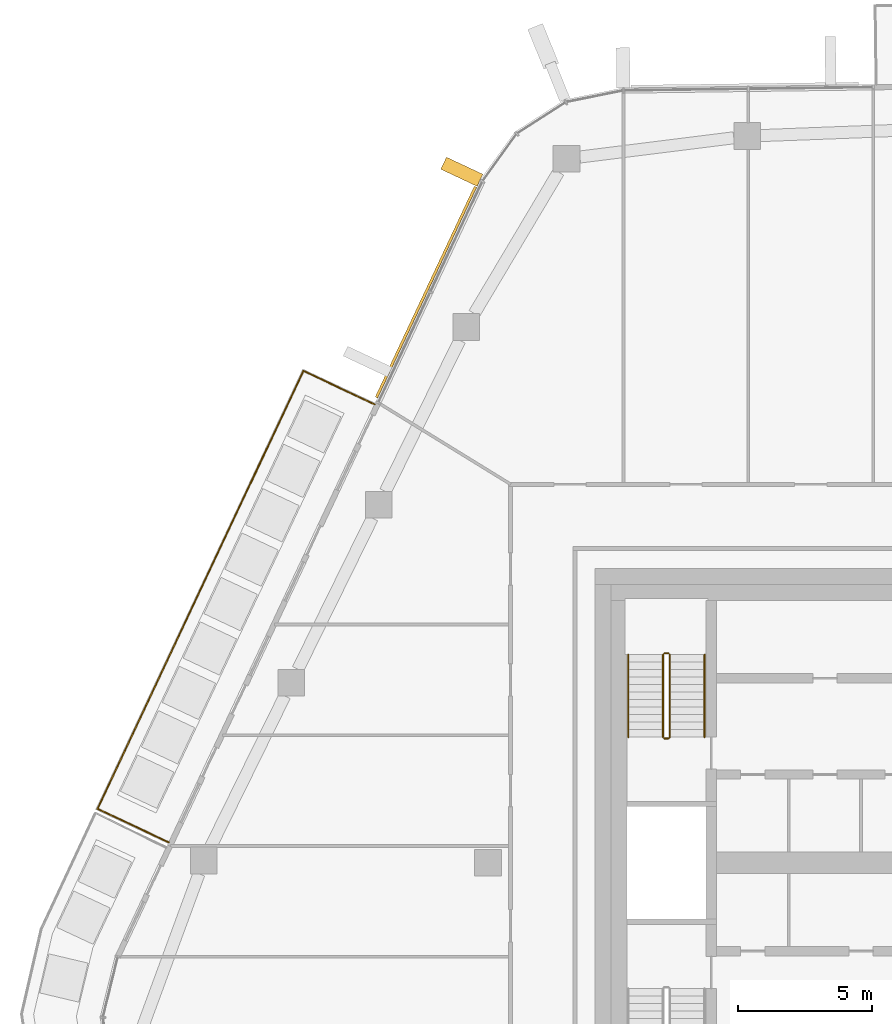
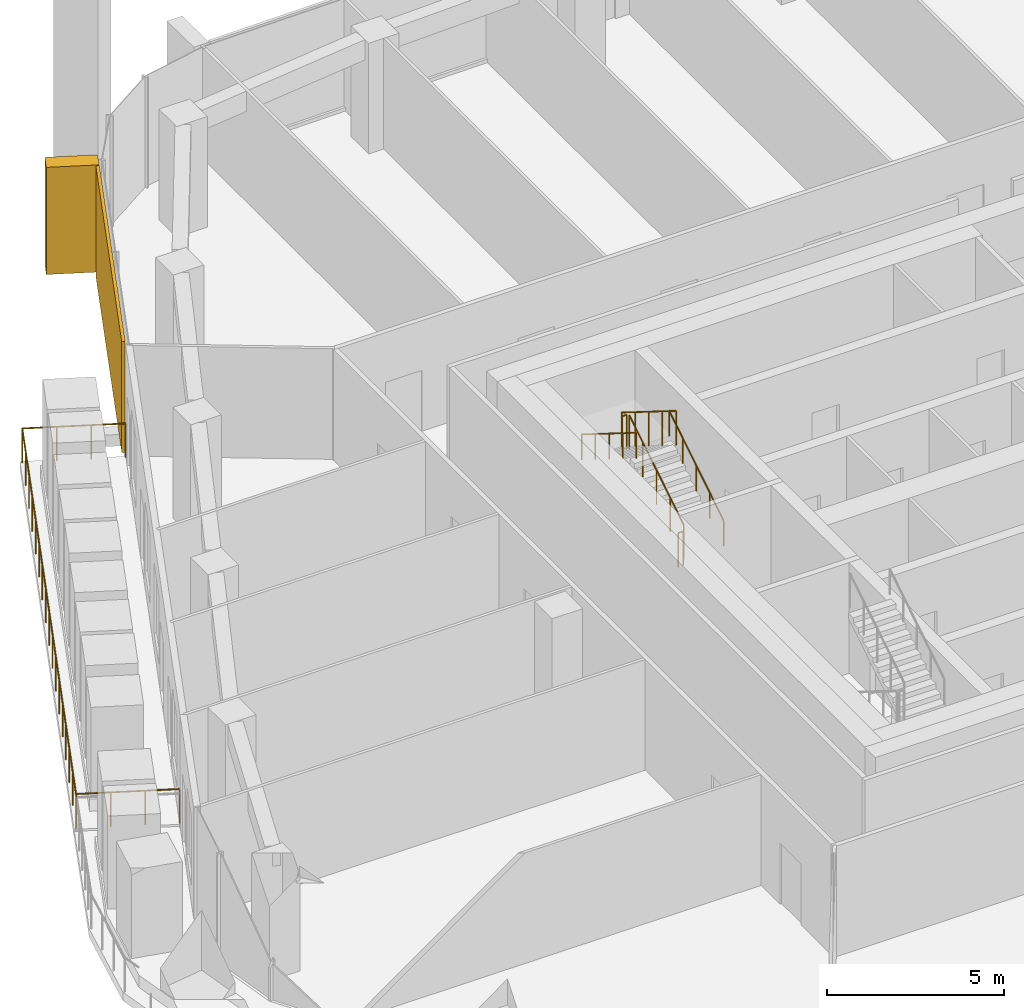
# One storey, part 21 of 24: 7 railings, 2 coverings, 1 element without a shape of its own.
"""IFC4 building model written with IfcOpenShell, lengths in metres."""

from ifc_helpers import new_model, si_unit, direction, frame, origin, origin_2d, place, context, subcontext, project, spatial, rectangle, circle, extrude, material, layer, layer_set, material_profile, profile_set, type_object, element, aggregate, save


model = new_model("IFC4")

# Units and contexts
model_context = context("Model", 3, precision=1e-05, world=origin(), true_north=direction((0.0, 1.0)))
body_context = subcontext(model_context, "Body", "Model", "MODEL_VIEW")
ifc_project = project(units=[si_unit("LENGTHUNIT", "METRE"), si_unit("AREAUNIT", "SQUARE_METRE"), si_unit("VOLUMEUNIT", "CUBIC_METRE"), si_unit("PLANEANGLEUNIT", "RADIAN"), si_unit("MASSUNIT", "GRAM", prefix="KILO")], contexts=[model_context])

# Site, building, storey
site_placement = place(None, origin())
site = spatial("IfcSite", under=ifc_project, at=site_placement, CompositionType="ELEMENT")
building_placement = place(site_placement, origin())
building = spatial("IfcBuilding", under=site, at=building_placement, Name="Dongbaek Canopy Tower", CompositionType="ELEMENT")
storey_placement = place(building_placement, frame((0.0, 0.0, 332.0)))
storey = spatial("IfcBuildingStorey", under=building, at=storey_placement, Name="L71", CompositionType="ELEMENT", Elevation=332.0)

# Railing
ifc_material_1 = material(Name="Stainless steel", Category="steel")
railing_type_1 = type_object("IfcRailingType", Name="Balcony balustrade 1200", PredefinedType="BALUSTRADE", material=ifc_material_1)
railing_1_placement = place(storey_placement, frame((-22.236083984375, 17.13818359375, 0.0)))
element("IfcRailing", 1, at=railing_1_placement, inside=storey, type_object=railing_type_1, Name="Balcony guard L71 3", PredefinedType="BALUSTRADE", context=body_context, shape_type="SweptSolid", body=[
    extrude(circle(Radius=0.02392578125, at=origin_2d()), frame((0.0, 0.0, 1.17578125), z_axis=(-0.904961676256, 0.425493083973, 0.0), x_axis=(-0.425493083973, -0.904961676256, 0.0)), (0.0, 0.0, 1.0), 2.93994140625),
    extrude(circle(Radius=0.02392578125, at=origin_2d()), frame((-2.66064453125, 1.2509765625, 1.17578125), z_axis=(-0.425494781749, -0.904960877997, 0.0), x_axis=(0.904960877997, -0.425494781749, 0.0)), (0.0, 0.0, 1.0), 18.089599609375),
    extrude(circle(Radius=0.02392578125, at=origin_2d()), frame((-10.357666015625, -15.119384765625, 1.17578125), z_axis=(0.904961676256, -0.425493083973, 0.0), x_axis=(0.425493083973, 0.904961676256, 0.0)), (0.0, 0.0, 1.0), 2.93994140625),
    extrude(circle(Radius=0.02099609375, at=origin_2d()), origin(), (0.0, 0.0, 1.0), 1.15185546875),
    extrude(circle(Radius=0.02099609375, at=origin_2d()), frame((-0.886962890625, 0.4169921875, 0.0)), (0.0, 0.0, 1.0), 1.15185546875),
    extrude(circle(Radius=0.02099609375, at=origin_2d()), frame((-1.773681640625, 0.833984375, 0.0)), (0.0, 0.0, 1.0), 1.15185546875),
    extrude(circle(Radius=0.02099609375, at=origin_2d()), frame((-2.66064453125, 1.2509765625, 0.0)), (0.0, 0.0, 1.0), 1.15185546875),
    extrude(circle(Radius=0.02099609375, at=origin_2d()), frame((-3.1416015625, 0.227783203125, 0.0)), (0.0, 0.0, 1.0), 1.15185546875),
    extrude(circle(Radius=0.02099609375, at=origin_2d()), frame((-3.622802734375, -0.79541015625, 0.0)), (0.0, 0.0, 1.0), 1.15185546875),
    extrude(circle(Radius=0.02099609375, at=origin_2d()), frame((-4.103759765625, -1.818359375, 0.0)), (0.0, 0.0, 1.0), 1.15185546875),
    extrude(circle(Radius=0.02099609375, at=origin_2d()), frame((-4.5849609375, -2.841552734375, 0.0)), (0.0, 0.0, 1.0), 1.15185546875),
    extrude(circle(Radius=0.02099609375, at=origin_2d()), frame((-5.06591796875, -3.86474609375, 0.0)), (0.0, 0.0, 1.0), 1.15185546875),
    extrude(circle(Radius=0.02099609375, at=origin_2d()), frame((-5.547119140625, -4.887939453125, 0.0)), (0.0, 0.0, 1.0), 1.15185546875),
    extrude(circle(Radius=0.02099609375, at=origin_2d()), frame((-6.028076171875, -5.9111328125, 0.0)), (0.0, 0.0, 1.0), 1.15185546875),
    extrude(circle(Radius=0.02099609375, at=origin_2d()), frame((-6.50927734375, -6.93408203125, 0.0)), (0.0, 0.0, 1.0), 1.15185546875),
    extrude(circle(Radius=0.02099609375, at=origin_2d()), frame((-6.990234375, -7.957275390625, 0.0)), (0.0, 0.0, 1.0), 1.15185546875),
    extrude(circle(Radius=0.02099609375, at=origin_2d()), frame((-7.47119140625, -8.98046875, 0.0)), (0.0, 0.0, 1.0), 1.15185546875),
    extrude(circle(Radius=0.02099609375, at=origin_2d()), frame((-7.952392578125, -10.003662109375, 0.0)), (0.0, 0.0, 1.0), 1.15185546875),
    extrude(circle(Radius=0.02099609375, at=origin_2d()), frame((-8.433349609375, -11.02685546875, 0.0)), (0.0, 0.0, 1.0), 1.15185546875),
    extrude(circle(Radius=0.02099609375, at=origin_2d()), frame((-8.91455078125, -12.050048828125, 0.0)), (0.0, 0.0, 1.0), 1.15185546875),
    extrude(circle(Radius=0.02099609375, at=origin_2d()), frame((-9.3955078125, -13.072998046875, 0.0)), (0.0, 0.0, 1.0), 1.15185546875),
    extrude(circle(Radius=0.02099609375, at=origin_2d()), frame((-9.876708984375, -14.09619140625, 0.0)), (0.0, 0.0, 1.0), 1.15185546875),
    extrude(circle(Radius=0.02099609375, at=origin_2d()), frame((-10.357666015625, -15.119384765625, 0.0)), (0.0, 0.0, 1.0), 1.15185546875),
    extrude(circle(Radius=0.02099609375, at=origin_2d()), frame((-9.470703125, -15.536376953125, 0.0)), (0.0, 0.0, 1.0), 1.15185546875),
    extrude(circle(Radius=0.02099609375, at=origin_2d()), frame((-8.583984375, -15.953369140625, 0.0)), (0.0, 0.0, 1.0), 1.15185546875),
    extrude(circle(Radius=0.02099609375, at=origin_2d()), frame((-7.697021484375, -16.370361328125, 0.0)), (0.0, 0.0, 1.0), 1.15185546875),
])

# Curtain wall, coverings
ifc_material_2 = material(Name="Aluminium 6063-T6 pale anodised", Category="aluminium")
ifc_layer_1 = layer(ifc_material_2, 0.199951171875)
ifc_layer_set_1 = layer_set([ifc_layer_1], Name="CW-1 unitised tower curtain wall")
curtain_wall_type = type_object("IfcCurtainWallType", Name="CW-1 unitised tower curtain wall", PredefinedType="NOTDEFINED", material=ifc_layer_set_1)
curtain_wall_placement = place(storey_placement, origin())
curtain_wall = element("IfcCurtainWall", 2, at=curtain_wall_placement, inside=storey, type_object=curtain_wall_type, Name="CW-1 curtain wall F2.1", PredefinedType="NOTDEFINED")
ifc_material_3 = material(Name="Perforated aluminium 6063-T6 pale metal screen", Category="aluminium")
ifc_layer_2 = layer(ifc_material_3, 0.10009765625)
ifc_layer_set_2 = layer_set([ifc_layer_2], Name="Facet screen FS1 100 pale metal")
covering_type_1 = type_object("IfcCoveringType", Name="Facet screen FS1 100 pale metal", PredefinedType="CLADDING", material=ifc_layer_set_2)
covering_1_placement = place(storey_placement, frame((-20.315185546875, 21.331787109375, 0.0), z_axis=(0.0, 0.0, 1.0), x_axis=(-0.425499749114, -0.904958542423, 0.0)))
covering_1 = element("IfcCovering", 3, at=covering_1_placement, type_object=covering_type_1, Name="Facet screen L71 F2", PredefinedType="CLADDING", context=body_context, shape_type="SweptSolid", body=[
    extrude(rectangle(XDim=8.7060546875, YDim=0.10009765625, at=origin_2d()), origin(), (0.0, 0.0, 1.0), 3.820068359375),
])
ifc_material_4 = material(Name="Aluminium 6063-T6 pale metal fin", Category="aluminium")
ifc_material_profile = material_profile(ifc_material_4, rectangle(XDim=1.5, YDim=0.5, at=origin_2d()), Name="Fin FN1 500 x 1500 pale metal")
ifc_profile_set = profile_set([ifc_material_profile], Name="Aluminium 6063-T6 pale metal fin")
covering_type_2 = type_object("IfcCoveringType", Name="Fin FN1 500 x 1500 pale metal", PredefinedType="CLADDING", material=ifc_profile_set)
covering_2_placement = place(storey_placement, frame((-18.9765625, 25.8330078125, 0.1201171875), z_axis=(0.0, 0.0, 1.0), x_axis=(-0.90495825448, 0.425500361514, 0.0)))
covering_2 = element("IfcCovering", 4, at=covering_2_placement, type_object=covering_type_2, Name="Fin F2.1.1", PredefinedType="CLADDING", context=body_context, shape_type="SweptSolid", body=[
    extrude(rectangle(XDim=1.5, YDim=0.5, at=origin_2d()), origin(), (0.0, 0.0, 1.0), 3.699951171875),
])
aggregate(curtain_wall, [covering_2, covering_1])

# Railings
ifc_material_5 = material(Name="Stainless steel tube and balusters", Category="steel")
railing_type_2 = type_object("IfcRailingType", Name="Stair guard 1200", PredefinedType="GUARDRAIL", material=ifc_material_5)
railing_2_placement = place(storey_placement, frame((-11.199951171875, 4.699951171875, 0.175048828125)))
element("IfcRailing", 5, at=railing_2_placement, inside=storey, type_object=railing_type_2, Name="L71 ST-C stair guard 1", PredefinedType="GUARDRAIL", context=body_context, shape_type="SweptSolid", body=[
    extrude(circle(Radius=0.02392578125, at=origin_2d()), frame((0.0, 0.0, 1.17578125), z_axis=(0.0, 0.847998304005, 0.529998940003), x_axis=(-1.0, 0.0, 0.0)), (0.0, 0.0, 1.0), 3.632080078125),
    extrude(circle(Radius=0.02099609375, at=origin_2d()), origin(), (0.0, 0.0, 1.0), 1.15185546875),
    extrude(circle(Radius=0.02099609375, at=origin_2d()), frame((0.0, 0.77001953125, 0.481201171875)), (0.0, 0.0, 1.0), 1.15185546875),
    extrude(circle(Radius=0.02099609375, at=origin_2d()), frame((0.0, 1.5400390625, 0.96240234375)), (0.0, 0.0, 1.0), 1.15185546875),
    extrude(circle(Radius=0.02099609375, at=origin_2d()), frame((0.0, 2.31005859375, 1.44384765625)), (0.0, 0.0, 1.0), 1.15185546875),
    extrude(circle(Radius=0.02099609375, at=origin_2d()), frame((0.0, 3.080078125, 1.925048828125)), (0.0, 0.0, 1.0), 1.15185546875),
])
railing_3_placement = place(storey_placement, frame((-11.25, 7.830078125, 2.10009765625)))
element("IfcRailing", 6, at=railing_3_placement, inside=storey, type_object=railing_type_2, Name="L71 ST-C stair guard 2", PredefinedType="GUARDRAIL", context=body_context, shape_type="SweptSolid", body=[
    extrude(circle(Radius=0.02392578125, at=origin_2d()), frame((0.0, 0.0, 1.17578125), z_axis=(-1.0, 0.0, 0.0), x_axis=(0.0, -1.0, 0.0)), (0.0, 0.0, 1.0), 0.14990234375),
    extrude(circle(Radius=0.02099609375, at=origin_2d()), origin(), (0.0, 0.0, 1.0), 1.15185546875),
    extrude(circle(Radius=0.02099609375, at=origin_2d()), frame((-0.14990234375, 0.0, 0.0)), (0.0, 0.0, 1.0), 1.15185546875),
])
railing_4_placement = place(storey_placement, frame((-11.449951171875, 7.780029296875, 2.27490234375)))
element("IfcRailing", 7, at=railing_4_placement, inside=storey, type_object=railing_type_2, Name="L71 ST-C stair guard 3", PredefinedType="GUARDRAIL", context=body_context, shape_type="SweptSolid", body=[
    extrude(circle(Radius=0.02392578125, at=origin_2d()), frame((0.0, 0.0, 1.17578125), z_axis=(0.0, -0.847998304005, 0.529998940003), x_axis=(1.0, 0.0, 0.0)), (0.0, 0.0, 1.0), 3.632080078125),
    extrude(circle(Radius=0.02099609375, at=origin_2d()), origin(), (0.0, 0.0, 1.0), 1.15185546875),
    extrude(circle(Radius=0.02099609375, at=origin_2d()), frame((0.0, -0.77001953125, 0.481201171875)), (0.0, 0.0, 1.0), 1.15185546875),
    extrude(circle(Radius=0.02099609375, at=origin_2d()), frame((0.0, -1.5400390625, 0.96240234375)), (0.0, 0.0, 1.0), 1.15185546875),
    extrude(circle(Radius=0.02099609375, at=origin_2d()), frame((0.0, -2.31005859375, 1.44384765625)), (0.0, 0.0, 1.0), 1.15185546875),
    extrude(circle(Radius=0.02099609375, at=origin_2d()), frame((0.0, -3.080078125, 1.925048828125)), (0.0, 0.0, 1.0), 1.15185546875),
])
railing_5_placement = place(storey_placement, frame((-11.25, 4.64990234375, 0.0)))
element("IfcRailing", 8, at=railing_5_placement, inside=storey, type_object=railing_type_2, Name="L71 ST-C stair guard 4", PredefinedType="GUARDRAIL", context=body_context, shape_type="SweptSolid", body=[
    extrude(circle(Radius=0.02392578125, at=origin_2d()), frame((0.0, 0.0, 1.17578125), z_axis=(-1.0, 0.0, 0.0), x_axis=(0.0, -1.0, 0.0)), (0.0, 0.0, 1.0), 0.14990234375),
    extrude(circle(Radius=0.02099609375, at=origin_2d()), origin(), (0.0, 0.0, 1.0), 1.15185546875),
    extrude(circle(Radius=0.02099609375, at=origin_2d()), frame((-0.14990234375, 0.0, 0.0)), (0.0, 0.0, 1.0), 1.15185546875),
])
ifc_material_6 = material(Name="Stainless steel tube", Category="steel")
railing_type_3 = type_object("IfcRailingType", Name="Stair handrail 900", PredefinedType="HANDRAIL", material=ifc_material_6)
railing_6_placement = place(storey_placement, frame((-9.89990234375, 4.699951171875, 0.175048828125)))
element("IfcRailing", 9, at=railing_6_placement, inside=storey, type_object=railing_type_3, Name="L71 ST-C stair handrail 1", PredefinedType="HANDRAIL", context=body_context, shape_type="SweptSolid", body=[
    extrude(circle(Radius=0.02392578125, at=origin_2d()), frame((0.0, 0.0, 0.8759765625), z_axis=(0.0, 0.847998304005, 0.529998940003), x_axis=(-1.0, 0.0, 0.0)), (0.0, 0.0, 1.0), 3.632080078125),
    extrude(circle(Radius=0.02099609375, at=origin_2d()), origin(), (0.0, 0.0, 1.0), 0.851806640625),
    extrude(circle(Radius=0.02099609375, at=origin_2d()), frame((0.0, 0.77001953125, 0.481201171875)), (0.0, 0.0, 1.0), 0.851806640625),
    extrude(circle(Radius=0.02099609375, at=origin_2d()), frame((0.0, 1.5400390625, 0.96240234375)), (0.0, 0.0, 1.0), 0.851806640625),
    extrude(circle(Radius=0.02099609375, at=origin_2d()), frame((0.0, 2.31005859375, 1.44384765625)), (0.0, 0.0, 1.0), 0.851806640625),
    extrude(circle(Radius=0.02099609375, at=origin_2d()), frame((0.0, 3.080078125, 1.925048828125)), (0.0, 0.0, 1.0), 0.851806640625),
])
railing_7_placement = place(storey_placement, frame((-12.75, 7.780029296875, 2.27490234375)))
element("IfcRailing", 10, at=railing_7_placement, inside=storey, type_object=railing_type_3, Name="L71 ST-C stair handrail 2", PredefinedType="HANDRAIL", context=body_context, shape_type="SweptSolid", body=[
    extrude(circle(Radius=0.02392578125, at=origin_2d()), frame((0.0, 0.0, 0.8759765625), z_axis=(0.0, -0.847998304005, 0.529998940003), x_axis=(1.0, 0.0, 0.0)), (0.0, 0.0, 1.0), 3.632080078125),
    extrude(circle(Radius=0.02099609375, at=origin_2d()), origin(), (0.0, 0.0, 1.0), 0.851806640625),
    extrude(circle(Radius=0.02099609375, at=origin_2d()), frame((0.0, -0.77001953125, 0.481201171875)), (0.0, 0.0, 1.0), 0.851806640625),
    extrude(circle(Radius=0.02099609375, at=origin_2d()), frame((0.0, -1.5400390625, 0.96240234375)), (0.0, 0.0, 1.0), 0.851806640625),
    extrude(circle(Radius=0.02099609375, at=origin_2d()), frame((0.0, -2.31005859375, 1.44384765625)), (0.0, 0.0, 1.0), 0.851806640625),
    extrude(circle(Radius=0.02099609375, at=origin_2d()), frame((0.0, -3.080078125, 1.925048828125)), (0.0, 0.0, 1.0), 0.851806640625),
])

save(model, "model.ifc")
